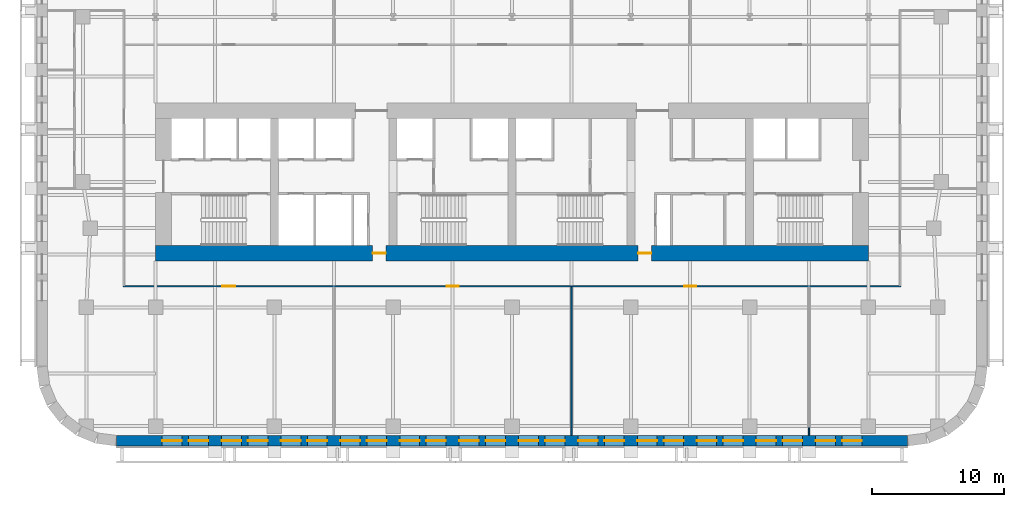
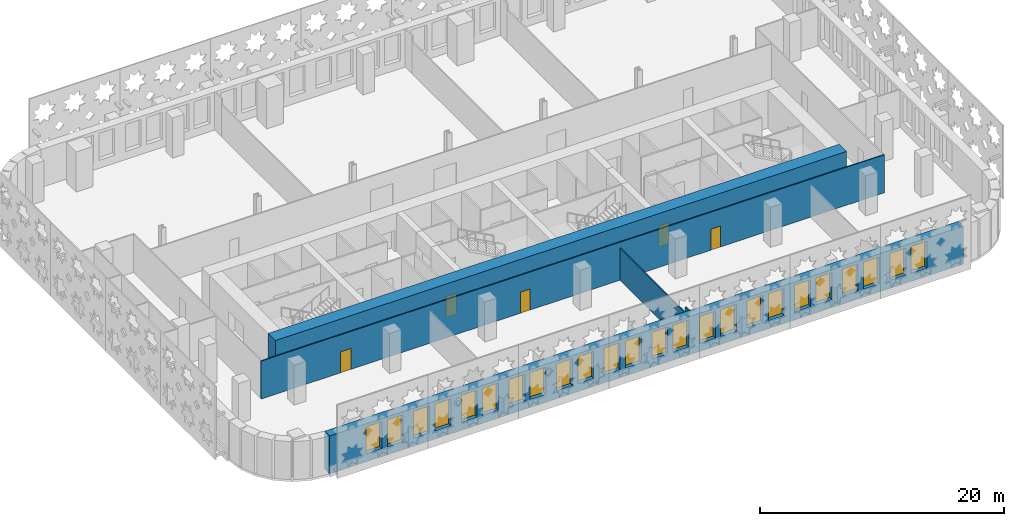
# One storey, part 5 of 14: 24 windows, 6 walls, 5 doors, 29 openings.
"""IFC4 building model written with IfcOpenShell, lengths in metres."""

from ifc_helpers import new_model, si_unit, direction, frame, frame_2d, origin, place, context, subcontext, project, spatial, rectangle, extrude, material, layer, layer_set, type_object, element, fill, save


model = new_model("IFC4")

# Units and contexts
model_context = context("Model", 3, precision=1e-05, world=origin(), true_north=direction((0.0, 1.0)))
body_context = subcontext(model_context, "Body", "Model", "MODEL_VIEW")
ifc_project = project(units=[si_unit("LENGTHUNIT", "METRE"), si_unit("AREAUNIT", "SQUARE_METRE"), si_unit("VOLUMEUNIT", "CUBIC_METRE"), si_unit("PLANEANGLEUNIT", "RADIAN"), si_unit("MASSUNIT", "GRAM", prefix="KILO")], contexts=[model_context])

# Site, building, storey
site_placement = place(None, origin())
site = spatial("IfcSite", under=ifc_project, at=site_placement, CompositionType="ELEMENT")
building_placement = place(site_placement, origin())
building = spatial("IfcBuilding", under=site, at=building_placement, Name="Zellij Exchange Tower", CompositionType="ELEMENT")
storey_placement = place(building_placement, frame((0.0, 0.0, 68.5)))
storey = spatial("IfcBuildingStorey", under=building, at=storey_placement, Name="L13", CompositionType="ELEMENT", Elevation=68.5)

# Wall, openings, doors
ifc_material_1 = material(Name="Concrete C70/85", Category="concrete")
ifc_layer_1 = layer(ifc_material_1, 1.199951171875)
ifc_layer_set_1 = layer_set([ifc_layer_1], Name="Concrete C70/85")
wall_type_1 = type_object("IfcWallType", Name="CORE-SW 1200 C70/85", PredefinedType="SHEAR", material=ifc_layer_set_1)
wall_1_placement = place(storey_placement, frame((-27.0, -13.39990234375, 0.0), z_axis=(0.0, 0.0, 1.0), x_axis=(1.0, 0.0, 0.0)))
wall_1 = element("IfcWall", 1, at=wall_1_placement, inside=storey, type_object=wall_type_1, Name="Core shear wall rear L13", PredefinedType="SHEAR", context=body_context, shape_type="SweptSolid", body=[
    extrude(rectangle(XDim=54.0, YDim=1.199951171875, at=frame_2d((27.0, 0.0))), origin(), (0.0, 0.0, 1.0), 3.800048828125),
])
opening_1_placement = place(wall_1_placement, frame((16.449951171875, 0.0, 0.0)))
opening_1 = element("IfcOpeningElement", 2, at=opening_1_placement, cuts=wall_1, Name="Opening CA-08.12", PredefinedType="OPENING", context=body_context, shape_type="SweptSolid", body=[
    extrude(rectangle(XDim=1.0, YDim=2.10009765625, at=frame_2d((0.5, 1.050048828125))), frame((0.0, 0.61181640625, 0.0), z_axis=(0.0, -1.0, 0.0), x_axis=(1.0, 0.0, 0.0)), (0.0, 0.0, 1.0), 1.223876953125),
])
opening_2_placement = place(wall_1_placement, frame((36.550048828125, 0.0, 0.0)))
opening_2 = element("IfcOpeningElement", 3, at=opening_2_placement, cuts=wall_1, Name="Opening CA-08.20", PredefinedType="OPENING", context=body_context, shape_type="SweptSolid", body=[
    extrude(rectangle(XDim=1.0, YDim=2.10009765625, at=frame_2d((0.5, 1.050048828125))), frame((0.0, 0.61181640625, 0.0), z_axis=(0.0, -1.0, 0.0), x_axis=(1.0, 0.0, 0.0)), (0.0, 0.0, 1.0), 1.223876953125),
])
ifc_material_2 = material(Name="Hollow metal fire door")
door_type_1 = type_object("IfcDoorType", Name="CORE-D CR Core rear door 1000x2100 20 MIN", OperationType="NOTDEFINED", PredefinedType="DOOR", material=ifc_material_2)
door_1_placement = place(opening_1_placement, origin())
door_1 = element("IfcDoor", 4, at=door_1_placement, inside=storey, type_object=door_type_1, Name="Core rear door CA-08.12", OperationType="SINGLE_SWING_RIGHT", OverallHeight=2.10009765625, OverallWidth=1.0, PredefinedType="DOOR", context=body_context, shape_type="SweptSolid", body=[
    extrude(rectangle(XDim=1.0, YDim=2.10009765625, at=frame_2d((0.5, 1.050048828125))), frame((0.0, 0.02490234375, 0.0), z_axis=(0.0, -1.0, 0.0), x_axis=(1.0, 0.0, 0.0)), (0.0, 0.0, 1.0), 0.050048828125),
])
fill(opening_1, door_1)
door_2_placement = place(opening_2_placement, origin())
door_2 = element("IfcDoor", 5, at=door_2_placement, inside=storey, type_object=door_type_1, Name="Core rear door CA-08.20", OperationType="SINGLE_SWING_LEFT", OverallHeight=2.10009765625, OverallWidth=1.0, PredefinedType="DOOR", context=body_context, shape_type="SweptSolid", body=[
    extrude(rectangle(XDim=1.0, YDim=2.10009765625, at=frame_2d((0.5, 1.050048828125))), frame((0.0, 0.02490234375, 0.0), z_axis=(0.0, -1.0, 0.0), x_axis=(1.0, 0.0, 0.0)), (0.0, 0.0, 1.0), 0.050048828125),
])
fill(opening_2, door_2)

# Wall, openings, windows
ifc_material_3 = material(Name="Precast concrete C40/50", Category="concrete")
ifc_layer_2 = layer(ifc_material_3, 0.800048828125)
ifc_layer_set_2 = layer_set([ifc_layer_2], Name="Precast concrete C40/50")
wall_type_2 = type_object("IfcWallType", Name="ENV-EW1 Precast stone-piered wall 800", PredefinedType="SOLIDWALL", material=ifc_layer_set_2)
wall_2_placement = place(storey_placement, frame((-29.947509765625, -27.60009765625, 0.0), z_axis=(0.0, 0.0, 1.0), x_axis=(1.0, 0.0, 0.0)))
wall_2 = element("IfcWall", 6, at=wall_2_placement, inside=storey, type_object=wall_type_2, Name="fac.L13.00", PredefinedType="SOLIDWALL", context=body_context, shape_type="SweptSolid", body=[
    extrude(rectangle(XDim=59.89501953125, YDim=0.800048828125, at=frame_2d((29.947509765625, 0.0))), origin(), (0.0, 0.0, 1.0), 3.800048828125),
])
opening_3_placement = place(wall_2_placement, frame((3.447509765625, 0.0, 0.800048828125)))
opening_3 = element("IfcOpeningElement", 7, at=opening_3_placement, cuts=wall_2, Name="Opening FZ1.01", PredefinedType="OPENING", context=body_context, shape_type="SweptSolid", body=[
    extrude(rectangle(XDim=1.5, YDim=2.699951171875, at=frame_2d((0.75, 1.35009765625))), frame((0.0, 0.412109375, 0.0), z_axis=(0.0, -1.0, 0.0), x_axis=(1.0, 0.0, 0.0)), (0.0, 0.0, 1.0), 0.823974609375),
])
opening_4_placement = place(wall_2_placement, frame((5.447509765625, 0.0, 0.800048828125)))
opening_4 = element("IfcOpeningElement", 8, at=opening_4_placement, cuts=wall_2, Name="Opening FZ1.02", PredefinedType="OPENING", context=body_context, shape_type="SweptSolid", body=[
    extrude(rectangle(XDim=1.5, YDim=2.699951171875, at=frame_2d((0.75, 1.35009765625))), frame((0.0, 0.412109375, 0.0), z_axis=(0.0, -1.0, 0.0), x_axis=(1.0, 0.0, 0.0)), (0.0, 0.0, 1.0), 0.823974609375),
])
opening_5_placement = place(wall_2_placement, frame((7.947509765625, 0.0, 0.800048828125)))
opening_5 = element("IfcOpeningElement", 9, at=opening_5_placement, cuts=wall_2, Name="Opening FZ1.03", PredefinedType="OPENING", context=body_context, shape_type="SweptSolid", body=[
    extrude(rectangle(XDim=1.5, YDim=2.699951171875, at=frame_2d((0.75, 1.35009765625))), frame((0.0, 0.412109375, 0.0), z_axis=(0.0, -1.0, 0.0), x_axis=(1.0, 0.0, 0.0)), (0.0, 0.0, 1.0), 0.823974609375),
])
opening_6_placement = place(wall_2_placement, frame((9.947509765625, 0.0, 0.800048828125)))
opening_6 = element("IfcOpeningElement", 10, at=opening_6_placement, cuts=wall_2, Name="Opening FZ1.04", PredefinedType="OPENING", context=body_context, shape_type="SweptSolid", body=[
    extrude(rectangle(XDim=1.5, YDim=2.699951171875, at=frame_2d((0.75, 1.35009765625))), frame((0.0, 0.412109375, 0.0), z_axis=(0.0, -1.0, 0.0), x_axis=(1.0, 0.0, 0.0)), (0.0, 0.0, 1.0), 0.823974609375),
])
opening_7_placement = place(wall_2_placement, frame((12.447509765625, 0.0, 0.800048828125)))
opening_7 = element("IfcOpeningElement", 11, at=opening_7_placement, cuts=wall_2, Name="Opening FZ1.05", PredefinedType="OPENING", context=body_context, shape_type="SweptSolid", body=[
    extrude(rectangle(XDim=1.5, YDim=2.699951171875, at=frame_2d((0.75, 1.35009765625))), frame((0.0, 0.412109375, 0.0), z_axis=(0.0, -1.0, 0.0), x_axis=(1.0, 0.0, 0.0)), (0.0, 0.0, 1.0), 0.823974609375),
])
opening_8_placement = place(wall_2_placement, frame((14.447509765625, 0.0, 0.800048828125)))
opening_8 = element("IfcOpeningElement", 12, at=opening_8_placement, cuts=wall_2, Name="Opening FZ1.06", PredefinedType="OPENING", context=body_context, shape_type="SweptSolid", body=[
    extrude(rectangle(XDim=1.5, YDim=2.699951171875, at=frame_2d((0.75, 1.35009765625))), frame((0.0, 0.412109375, 0.0), z_axis=(0.0, -1.0, 0.0), x_axis=(1.0, 0.0, 0.0)), (0.0, 0.0, 1.0), 0.823974609375),
])
opening_9_placement = place(wall_2_placement, frame((16.947509765625, 0.0, 0.800048828125)))
opening_9 = element("IfcOpeningElement", 13, at=opening_9_placement, cuts=wall_2, Name="Opening FZ1.07", PredefinedType="OPENING", context=body_context, shape_type="SweptSolid", body=[
    extrude(rectangle(XDim=1.5, YDim=2.699951171875, at=frame_2d((0.75, 1.35009765625))), frame((0.0, 0.412109375, 0.0), z_axis=(0.0, -1.0, 0.0), x_axis=(1.0, 0.0, 0.0)), (0.0, 0.0, 1.0), 0.823974609375),
])
opening_10_placement = place(wall_2_placement, frame((18.947509765625, 0.0, 0.800048828125)))
opening_10 = element("IfcOpeningElement", 14, at=opening_10_placement, cuts=wall_2, Name="Opening FZ1.08", PredefinedType="OPENING", context=body_context, shape_type="SweptSolid", body=[
    extrude(rectangle(XDim=1.5, YDim=2.699951171875, at=frame_2d((0.75, 1.35009765625))), frame((0.0, 0.412109375, 0.0), z_axis=(0.0, -1.0, 0.0), x_axis=(1.0, 0.0, 0.0)), (0.0, 0.0, 1.0), 0.823974609375),
])
opening_11_placement = place(wall_2_placement, frame((21.447509765625, 0.0, 0.800048828125)))
opening_11 = element("IfcOpeningElement", 15, at=opening_11_placement, cuts=wall_2, Name="Opening FZ1.09", PredefinedType="OPENING", context=body_context, shape_type="SweptSolid", body=[
    extrude(rectangle(XDim=1.5, YDim=2.699951171875, at=frame_2d((0.75, 1.35009765625))), frame((0.0, 0.412109375, 0.0), z_axis=(0.0, -1.0, 0.0), x_axis=(1.0, 0.0, 0.0)), (0.0, 0.0, 1.0), 0.823974609375),
])
opening_12_placement = place(wall_2_placement, frame((23.447509765625, 0.0, 0.800048828125)))
opening_12 = element("IfcOpeningElement", 16, at=opening_12_placement, cuts=wall_2, Name="Opening FZ1.10", PredefinedType="OPENING", context=body_context, shape_type="SweptSolid", body=[
    extrude(rectangle(XDim=1.5, YDim=2.699951171875, at=frame_2d((0.75, 1.35009765625))), frame((0.0, 0.412109375, 0.0), z_axis=(0.0, -1.0, 0.0), x_axis=(1.0, 0.0, 0.0)), (0.0, 0.0, 1.0), 0.823974609375),
])
opening_13_placement = place(wall_2_placement, frame((25.947509765625, 0.0, 0.800048828125)))
opening_13 = element("IfcOpeningElement", 17, at=opening_13_placement, cuts=wall_2, Name="Opening FZ1.11", PredefinedType="OPENING", context=body_context, shape_type="SweptSolid", body=[
    extrude(rectangle(XDim=1.5, YDim=2.699951171875, at=frame_2d((0.75, 1.35009765625))), frame((0.0, 0.412109375, 0.0), z_axis=(0.0, -1.0, 0.0), x_axis=(1.0, 0.0, 0.0)), (0.0, 0.0, 1.0), 0.823974609375),
])
opening_14_placement = place(wall_2_placement, frame((27.947509765625, 0.0, 0.800048828125)))
opening_14 = element("IfcOpeningElement", 18, at=opening_14_placement, cuts=wall_2, Name="Opening FZ1.12", PredefinedType="OPENING", context=body_context, shape_type="SweptSolid", body=[
    extrude(rectangle(XDim=1.5, YDim=2.699951171875, at=frame_2d((0.75, 1.35009765625))), frame((0.0, 0.412109375, 0.0), z_axis=(0.0, -1.0, 0.0), x_axis=(1.0, 0.0, 0.0)), (0.0, 0.0, 1.0), 0.823974609375),
])
opening_15_placement = place(wall_2_placement, frame((30.447509765625, 0.0, 0.800048828125)))
opening_15 = element("IfcOpeningElement", 19, at=opening_15_placement, cuts=wall_2, Name="Opening FZ1.13", PredefinedType="OPENING", context=body_context, shape_type="SweptSolid", body=[
    extrude(rectangle(XDim=1.5, YDim=2.699951171875, at=frame_2d((0.75, 1.35009765625))), frame((0.0, 0.412109375, 0.0), z_axis=(0.0, -1.0, 0.0), x_axis=(1.0, 0.0, 0.0)), (0.0, 0.0, 1.0), 0.823974609375),
])
opening_16_placement = place(wall_2_placement, frame((32.447509765625, 0.0, 0.800048828125)))
opening_16 = element("IfcOpeningElement", 20, at=opening_16_placement, cuts=wall_2, Name="Opening FZ1.14", PredefinedType="OPENING", context=body_context, shape_type="SweptSolid", body=[
    extrude(rectangle(XDim=1.5, YDim=2.699951171875, at=frame_2d((0.75, 1.35009765625))), frame((0.0, 0.412109375, 0.0), z_axis=(0.0, -1.0, 0.0), x_axis=(1.0, 0.0, 0.0)), (0.0, 0.0, 1.0), 0.823974609375),
])
opening_17_placement = place(wall_2_placement, frame((34.947509765625, 0.0, 0.800048828125)))
opening_17 = element("IfcOpeningElement", 21, at=opening_17_placement, cuts=wall_2, Name="Opening FZ1.15", PredefinedType="OPENING", context=body_context, shape_type="SweptSolid", body=[
    extrude(rectangle(XDim=1.5, YDim=2.699951171875, at=frame_2d((0.75, 1.35009765625))), frame((0.0, 0.412109375, 0.0), z_axis=(0.0, -1.0, 0.0), x_axis=(1.0, 0.0, 0.0)), (0.0, 0.0, 1.0), 0.823974609375),
])
opening_18_placement = place(wall_2_placement, frame((36.947509765625, 0.0, 0.800048828125)))
opening_18 = element("IfcOpeningElement", 22, at=opening_18_placement, cuts=wall_2, Name="Opening FZ1.16", PredefinedType="OPENING", context=body_context, shape_type="SweptSolid", body=[
    extrude(rectangle(XDim=1.5, YDim=2.699951171875, at=frame_2d((0.75, 1.35009765625))), frame((0.0, 0.412109375, 0.0), z_axis=(0.0, -1.0, 0.0), x_axis=(1.0, 0.0, 0.0)), (0.0, 0.0, 1.0), 0.823974609375),
])
opening_19_placement = place(wall_2_placement, frame((39.447509765625, 0.0, 0.800048828125)))
opening_19 = element("IfcOpeningElement", 23, at=opening_19_placement, cuts=wall_2, Name="Opening FZ1.17", PredefinedType="OPENING", context=body_context, shape_type="SweptSolid", body=[
    extrude(rectangle(XDim=1.5, YDim=2.699951171875, at=frame_2d((0.75, 1.35009765625))), frame((0.0, 0.412109375, 0.0), z_axis=(0.0, -1.0, 0.0), x_axis=(1.0, 0.0, 0.0)), (0.0, 0.0, 1.0), 0.823974609375),
])
opening_20_placement = place(wall_2_placement, frame((41.447509765625, 0.0, 0.800048828125)))
opening_20 = element("IfcOpeningElement", 24, at=opening_20_placement, cuts=wall_2, Name="Opening FZ1.18", PredefinedType="OPENING", context=body_context, shape_type="SweptSolid", body=[
    extrude(rectangle(XDim=1.5, YDim=2.699951171875, at=frame_2d((0.75, 1.35009765625))), frame((0.0, 0.412109375, 0.0), z_axis=(0.0, -1.0, 0.0), x_axis=(1.0, 0.0, 0.0)), (0.0, 0.0, 1.0), 0.823974609375),
])
opening_21_placement = place(wall_2_placement, frame((43.947509765625, 0.0, 0.800048828125)))
opening_21 = element("IfcOpeningElement", 25, at=opening_21_placement, cuts=wall_2, Name="Opening FZ1.19", PredefinedType="OPENING", context=body_context, shape_type="SweptSolid", body=[
    extrude(rectangle(XDim=1.5, YDim=2.699951171875, at=frame_2d((0.75, 1.35009765625))), frame((0.0, 0.412109375, 0.0), z_axis=(0.0, -1.0, 0.0), x_axis=(1.0, 0.0, 0.0)), (0.0, 0.0, 1.0), 0.823974609375),
])
opening_22_placement = place(wall_2_placement, frame((45.947509765625, 0.0, 0.800048828125)))
opening_22 = element("IfcOpeningElement", 26, at=opening_22_placement, cuts=wall_2, Name="Opening FZ1.20", PredefinedType="OPENING", context=body_context, shape_type="SweptSolid", body=[
    extrude(rectangle(XDim=1.5, YDim=2.699951171875, at=frame_2d((0.75, 1.35009765625))), frame((0.0, 0.412109375, 0.0), z_axis=(0.0, -1.0, 0.0), x_axis=(1.0, 0.0, 0.0)), (0.0, 0.0, 1.0), 0.823974609375),
])
opening_23_placement = place(wall_2_placement, frame((48.447509765625, 0.0, 0.800048828125)))
opening_23 = element("IfcOpeningElement", 27, at=opening_23_placement, cuts=wall_2, Name="Opening FZ1.21", PredefinedType="OPENING", context=body_context, shape_type="SweptSolid", body=[
    extrude(rectangle(XDim=1.5, YDim=2.699951171875, at=frame_2d((0.75, 1.35009765625))), frame((0.0, 0.412109375, 0.0), z_axis=(0.0, -1.0, 0.0), x_axis=(1.0, 0.0, 0.0)), (0.0, 0.0, 1.0), 0.823974609375),
])
opening_24_placement = place(wall_2_placement, frame((50.447509765625, 0.0, 0.800048828125)))
opening_24 = element("IfcOpeningElement", 28, at=opening_24_placement, cuts=wall_2, Name="Opening FZ1.22", PredefinedType="OPENING", context=body_context, shape_type="SweptSolid", body=[
    extrude(rectangle(XDim=1.5, YDim=2.699951171875, at=frame_2d((0.75, 1.35009765625))), frame((0.0, 0.412109375, 0.0), z_axis=(0.0, -1.0, 0.0), x_axis=(1.0, 0.0, 0.0)), (0.0, 0.0, 1.0), 0.823974609375),
])
opening_25_placement = place(wall_2_placement, frame((52.947509765625, 0.0, 0.800048828125)))
opening_25 = element("IfcOpeningElement", 29, at=opening_25_placement, cuts=wall_2, Name="Opening FZ1.23", PredefinedType="OPENING", context=body_context, shape_type="SweptSolid", body=[
    extrude(rectangle(XDim=1.5, YDim=2.699951171875, at=frame_2d((0.75, 1.35009765625))), frame((0.0, 0.412109375, 0.0), z_axis=(0.0, -1.0, 0.0), x_axis=(1.0, 0.0, 0.0)), (0.0, 0.0, 1.0), 0.823974609375),
])
opening_26_placement = place(wall_2_placement, frame((54.947509765625, 0.0, 0.800048828125)))
opening_26 = element("IfcOpeningElement", 30, at=opening_26_placement, cuts=wall_2, Name="Opening FZ1.24", PredefinedType="OPENING", context=body_context, shape_type="SweptSolid", body=[
    extrude(rectangle(XDim=1.5, YDim=2.699951171875, at=frame_2d((0.75, 1.35009765625))), frame((0.0, 0.412109375, 0.0), z_axis=(0.0, -1.0, 0.0), x_axis=(1.0, 0.0, 0.0)), (0.0, 0.0, 1.0), 0.823974609375),
])
ifc_material_4 = material(Name="Aluminium frame with insulating glass", Category="aluminium")
window_type = type_object("IfcWindowType", Name="ENV-W6 Window 1500x2700", PartitioningType="SINGLE_PANEL", PredefinedType="WINDOW", material=ifc_material_4)
window_1_placement = place(opening_3_placement, origin())
window_1 = element("IfcWindow", 31, at=window_1_placement, inside=storey, type_object=window_type, Name="Window FZ1.01", OverallHeight=2.699951171875, OverallWidth=1.5, PartitioningType="SINGLE_PANEL", PredefinedType="WINDOW", context=body_context, shape_type="SweptSolid", body=[
    extrude(rectangle(XDim=1.5, YDim=2.699951171875, at=frame_2d((0.75, 1.35009765625))), frame((0.0, 0.030029296875, 0.0), z_axis=(0.0, -1.0, 0.0), x_axis=(1.0, 0.0, 0.0)), (0.0, 0.0, 1.0), 0.06005859375),
])
fill(opening_3, window_1)
window_2_placement = place(opening_4_placement, origin())
window_2 = element("IfcWindow", 32, at=window_2_placement, inside=storey, type_object=window_type, Name="Window FZ1.02", OverallHeight=2.699951171875, OverallWidth=1.5, PartitioningType="SINGLE_PANEL", PredefinedType="WINDOW", context=body_context, shape_type="SweptSolid", body=[
    extrude(rectangle(XDim=1.5, YDim=2.699951171875, at=frame_2d((0.75, 1.35009765625))), frame((0.0, 0.030029296875, 0.0), z_axis=(0.0, -1.0, 0.0), x_axis=(1.0, 0.0, 0.0)), (0.0, 0.0, 1.0), 0.06005859375),
])
fill(opening_4, window_2)
window_3_placement = place(opening_5_placement, origin())
window_3 = element("IfcWindow", 33, at=window_3_placement, inside=storey, type_object=window_type, Name="Window FZ1.03", OverallHeight=2.699951171875, OverallWidth=1.5, PartitioningType="SINGLE_PANEL", PredefinedType="WINDOW", context=body_context, shape_type="SweptSolid", body=[
    extrude(rectangle(XDim=1.5, YDim=2.699951171875, at=frame_2d((0.75, 1.35009765625))), frame((0.0, 0.030029296875, 0.0), z_axis=(0.0, -1.0, 0.0), x_axis=(1.0, 0.0, 0.0)), (0.0, 0.0, 1.0), 0.06005859375),
])
fill(opening_5, window_3)
window_4_placement = place(opening_6_placement, origin())
window_4 = element("IfcWindow", 34, at=window_4_placement, inside=storey, type_object=window_type, Name="Window FZ1.04", OverallHeight=2.699951171875, OverallWidth=1.5, PartitioningType="SINGLE_PANEL", PredefinedType="WINDOW", context=body_context, shape_type="SweptSolid", body=[
    extrude(rectangle(XDim=1.5, YDim=2.699951171875, at=frame_2d((0.75, 1.35009765625))), frame((0.0, 0.030029296875, 0.0), z_axis=(0.0, -1.0, 0.0), x_axis=(1.0, 0.0, 0.0)), (0.0, 0.0, 1.0), 0.06005859375),
])
fill(opening_6, window_4)
window_5_placement = place(opening_7_placement, origin())
window_5 = element("IfcWindow", 35, at=window_5_placement, inside=storey, type_object=window_type, Name="Window FZ1.05", OverallHeight=2.699951171875, OverallWidth=1.5, PartitioningType="SINGLE_PANEL", PredefinedType="WINDOW", context=body_context, shape_type="SweptSolid", body=[
    extrude(rectangle(XDim=1.5, YDim=2.699951171875, at=frame_2d((0.75, 1.35009765625))), frame((0.0, 0.030029296875, 0.0), z_axis=(0.0, -1.0, 0.0), x_axis=(1.0, 0.0, 0.0)), (0.0, 0.0, 1.0), 0.06005859375),
])
fill(opening_7, window_5)
window_6_placement = place(opening_8_placement, origin())
window_6 = element("IfcWindow", 36, at=window_6_placement, inside=storey, type_object=window_type, Name="Window FZ1.06", OverallHeight=2.699951171875, OverallWidth=1.5, PartitioningType="SINGLE_PANEL", PredefinedType="WINDOW", context=body_context, shape_type="SweptSolid", body=[
    extrude(rectangle(XDim=1.5, YDim=2.699951171875, at=frame_2d((0.75, 1.35009765625))), frame((0.0, 0.030029296875, 0.0), z_axis=(0.0, -1.0, 0.0), x_axis=(1.0, 0.0, 0.0)), (0.0, 0.0, 1.0), 0.06005859375),
])
fill(opening_8, window_6)
window_7_placement = place(opening_9_placement, origin())
window_7 = element("IfcWindow", 37, at=window_7_placement, inside=storey, type_object=window_type, Name="Window FZ1.07", OverallHeight=2.699951171875, OverallWidth=1.5, PartitioningType="SINGLE_PANEL", PredefinedType="WINDOW", context=body_context, shape_type="SweptSolid", body=[
    extrude(rectangle(XDim=1.5, YDim=2.699951171875, at=frame_2d((0.75, 1.35009765625))), frame((0.0, 0.030029296875, 0.0), z_axis=(0.0, -1.0, 0.0), x_axis=(1.0, 0.0, 0.0)), (0.0, 0.0, 1.0), 0.06005859375),
])
fill(opening_9, window_7)
window_8_placement = place(opening_10_placement, origin())
window_8 = element("IfcWindow", 38, at=window_8_placement, inside=storey, type_object=window_type, Name="Window FZ1.08", OverallHeight=2.699951171875, OverallWidth=1.5, PartitioningType="SINGLE_PANEL", PredefinedType="WINDOW", context=body_context, shape_type="SweptSolid", body=[
    extrude(rectangle(XDim=1.5, YDim=2.699951171875, at=frame_2d((0.75, 1.35009765625))), frame((0.0, 0.030029296875, 0.0), z_axis=(0.0, -1.0, 0.0), x_axis=(1.0, 0.0, 0.0)), (0.0, 0.0, 1.0), 0.06005859375),
])
fill(opening_10, window_8)
window_9_placement = place(opening_11_placement, origin())
window_9 = element("IfcWindow", 39, at=window_9_placement, inside=storey, type_object=window_type, Name="Window FZ1.09", OverallHeight=2.699951171875, OverallWidth=1.5, PartitioningType="SINGLE_PANEL", PredefinedType="WINDOW", context=body_context, shape_type="SweptSolid", body=[
    extrude(rectangle(XDim=1.5, YDim=2.699951171875, at=frame_2d((0.75, 1.35009765625))), frame((0.0, 0.030029296875, 0.0), z_axis=(0.0, -1.0, 0.0), x_axis=(1.0, 0.0, 0.0)), (0.0, 0.0, 1.0), 0.06005859375),
])
fill(opening_11, window_9)
window_10_placement = place(opening_12_placement, origin())
window_10 = element("IfcWindow", 40, at=window_10_placement, inside=storey, type_object=window_type, Name="Window FZ1.10", OverallHeight=2.699951171875, OverallWidth=1.5, PartitioningType="SINGLE_PANEL", PredefinedType="WINDOW", context=body_context, shape_type="SweptSolid", body=[
    extrude(rectangle(XDim=1.5, YDim=2.699951171875, at=frame_2d((0.75, 1.35009765625))), frame((0.0, 0.030029296875, 0.0), z_axis=(0.0, -1.0, 0.0), x_axis=(1.0, 0.0, 0.0)), (0.0, 0.0, 1.0), 0.06005859375),
])
fill(opening_12, window_10)
window_11_placement = place(opening_13_placement, origin())
window_11 = element("IfcWindow", 41, at=window_11_placement, inside=storey, type_object=window_type, Name="Window FZ1.11", OverallHeight=2.699951171875, OverallWidth=1.5, PartitioningType="SINGLE_PANEL", PredefinedType="WINDOW", context=body_context, shape_type="SweptSolid", body=[
    extrude(rectangle(XDim=1.5, YDim=2.699951171875, at=frame_2d((0.75, 1.35009765625))), frame((0.0, 0.030029296875, 0.0), z_axis=(0.0, -1.0, 0.0), x_axis=(1.0, 0.0, 0.0)), (0.0, 0.0, 1.0), 0.06005859375),
])
fill(opening_13, window_11)
window_12_placement = place(opening_14_placement, origin())
window_12 = element("IfcWindow", 42, at=window_12_placement, inside=storey, type_object=window_type, Name="Window FZ1.12", OverallHeight=2.699951171875, OverallWidth=1.5, PartitioningType="SINGLE_PANEL", PredefinedType="WINDOW", context=body_context, shape_type="SweptSolid", body=[
    extrude(rectangle(XDim=1.5, YDim=2.699951171875, at=frame_2d((0.75, 1.35009765625))), frame((0.0, 0.030029296875, 0.0), z_axis=(0.0, -1.0, 0.0), x_axis=(1.0, 0.0, 0.0)), (0.0, 0.0, 1.0), 0.06005859375),
])
fill(opening_14, window_12)
window_13_placement = place(opening_15_placement, origin())
window_13 = element("IfcWindow", 43, at=window_13_placement, inside=storey, type_object=window_type, Name="Window FZ1.13", OverallHeight=2.699951171875, OverallWidth=1.5, PartitioningType="SINGLE_PANEL", PredefinedType="WINDOW", context=body_context, shape_type="SweptSolid", body=[
    extrude(rectangle(XDim=1.5, YDim=2.699951171875, at=frame_2d((0.75, 1.35009765625))), frame((0.0, 0.030029296875, 0.0), z_axis=(0.0, -1.0, 0.0), x_axis=(1.0, 0.0, 0.0)), (0.0, 0.0, 1.0), 0.06005859375),
])
fill(opening_15, window_13)
window_14_placement = place(opening_16_placement, origin())
window_14 = element("IfcWindow", 44, at=window_14_placement, inside=storey, type_object=window_type, Name="Window FZ1.14", OverallHeight=2.699951171875, OverallWidth=1.5, PartitioningType="SINGLE_PANEL", PredefinedType="WINDOW", context=body_context, shape_type="SweptSolid", body=[
    extrude(rectangle(XDim=1.5, YDim=2.699951171875, at=frame_2d((0.75, 1.35009765625))), frame((0.0, 0.030029296875, 0.0), z_axis=(0.0, -1.0, 0.0), x_axis=(1.0, 0.0, 0.0)), (0.0, 0.0, 1.0), 0.06005859375),
])
fill(opening_16, window_14)
window_15_placement = place(opening_17_placement, origin())
window_15 = element("IfcWindow", 45, at=window_15_placement, inside=storey, type_object=window_type, Name="Window FZ1.15", OverallHeight=2.699951171875, OverallWidth=1.5, PartitioningType="SINGLE_PANEL", PredefinedType="WINDOW", context=body_context, shape_type="SweptSolid", body=[
    extrude(rectangle(XDim=1.5, YDim=2.699951171875, at=frame_2d((0.75, 1.35009765625))), frame((0.0, 0.030029296875, 0.0), z_axis=(0.0, -1.0, 0.0), x_axis=(1.0, 0.0, 0.0)), (0.0, 0.0, 1.0), 0.06005859375),
])
fill(opening_17, window_15)
window_16_placement = place(opening_18_placement, origin())
window_16 = element("IfcWindow", 46, at=window_16_placement, inside=storey, type_object=window_type, Name="Window FZ1.16", OverallHeight=2.699951171875, OverallWidth=1.5, PartitioningType="SINGLE_PANEL", PredefinedType="WINDOW", context=body_context, shape_type="SweptSolid", body=[
    extrude(rectangle(XDim=1.5, YDim=2.699951171875, at=frame_2d((0.75, 1.35009765625))), frame((0.0, 0.030029296875, 0.0), z_axis=(0.0, -1.0, 0.0), x_axis=(1.0, 0.0, 0.0)), (0.0, 0.0, 1.0), 0.06005859375),
])
fill(opening_18, window_16)
window_17_placement = place(opening_19_placement, origin())
window_17 = element("IfcWindow", 47, at=window_17_placement, inside=storey, type_object=window_type, Name="Window FZ1.17", OverallHeight=2.699951171875, OverallWidth=1.5, PartitioningType="SINGLE_PANEL", PredefinedType="WINDOW", context=body_context, shape_type="SweptSolid", body=[
    extrude(rectangle(XDim=1.5, YDim=2.699951171875, at=frame_2d((0.75, 1.35009765625))), frame((0.0, 0.030029296875, 0.0), z_axis=(0.0, -1.0, 0.0), x_axis=(1.0, 0.0, 0.0)), (0.0, 0.0, 1.0), 0.06005859375),
])
fill(opening_19, window_17)
window_18_placement = place(opening_20_placement, origin())
window_18 = element("IfcWindow", 48, at=window_18_placement, inside=storey, type_object=window_type, Name="Window FZ1.18", OverallHeight=2.699951171875, OverallWidth=1.5, PartitioningType="SINGLE_PANEL", PredefinedType="WINDOW", context=body_context, shape_type="SweptSolid", body=[
    extrude(rectangle(XDim=1.5, YDim=2.699951171875, at=frame_2d((0.75, 1.35009765625))), frame((0.0, 0.030029296875, 0.0), z_axis=(0.0, -1.0, 0.0), x_axis=(1.0, 0.0, 0.0)), (0.0, 0.0, 1.0), 0.06005859375),
])
fill(opening_20, window_18)
window_19_placement = place(opening_21_placement, origin())
window_19 = element("IfcWindow", 49, at=window_19_placement, inside=storey, type_object=window_type, Name="Window FZ1.19", OverallHeight=2.699951171875, OverallWidth=1.5, PartitioningType="SINGLE_PANEL", PredefinedType="WINDOW", context=body_context, shape_type="SweptSolid", body=[
    extrude(rectangle(XDim=1.5, YDim=2.699951171875, at=frame_2d((0.75, 1.35009765625))), frame((0.0, 0.030029296875, 0.0), z_axis=(0.0, -1.0, 0.0), x_axis=(1.0, 0.0, 0.0)), (0.0, 0.0, 1.0), 0.06005859375),
])
fill(opening_21, window_19)
window_20_placement = place(opening_22_placement, origin())
window_20 = element("IfcWindow", 50, at=window_20_placement, inside=storey, type_object=window_type, Name="Window FZ1.20", OverallHeight=2.699951171875, OverallWidth=1.5, PartitioningType="SINGLE_PANEL", PredefinedType="WINDOW", context=body_context, shape_type="SweptSolid", body=[
    extrude(rectangle(XDim=1.5, YDim=2.699951171875, at=frame_2d((0.75, 1.35009765625))), frame((0.0, 0.030029296875, 0.0), z_axis=(0.0, -1.0, 0.0), x_axis=(1.0, 0.0, 0.0)), (0.0, 0.0, 1.0), 0.06005859375),
])
fill(opening_22, window_20)
window_21_placement = place(opening_23_placement, origin())
window_21 = element("IfcWindow", 51, at=window_21_placement, inside=storey, type_object=window_type, Name="Window FZ1.21", OverallHeight=2.699951171875, OverallWidth=1.5, PartitioningType="SINGLE_PANEL", PredefinedType="WINDOW", context=body_context, shape_type="SweptSolid", body=[
    extrude(rectangle(XDim=1.5, YDim=2.699951171875, at=frame_2d((0.75, 1.35009765625))), frame((0.0, 0.030029296875, 0.0), z_axis=(0.0, -1.0, 0.0), x_axis=(1.0, 0.0, 0.0)), (0.0, 0.0, 1.0), 0.06005859375),
])
fill(opening_23, window_21)
window_22_placement = place(opening_24_placement, origin())
window_22 = element("IfcWindow", 52, at=window_22_placement, inside=storey, type_object=window_type, Name="Window FZ1.22", OverallHeight=2.699951171875, OverallWidth=1.5, PartitioningType="SINGLE_PANEL", PredefinedType="WINDOW", context=body_context, shape_type="SweptSolid", body=[
    extrude(rectangle(XDim=1.5, YDim=2.699951171875, at=frame_2d((0.75, 1.35009765625))), frame((0.0, 0.030029296875, 0.0), z_axis=(0.0, -1.0, 0.0), x_axis=(1.0, 0.0, 0.0)), (0.0, 0.0, 1.0), 0.06005859375),
])
fill(opening_24, window_22)
window_23_placement = place(opening_25_placement, origin())
window_23 = element("IfcWindow", 53, at=window_23_placement, inside=storey, type_object=window_type, Name="Window FZ1.23", OverallHeight=2.699951171875, OverallWidth=1.5, PartitioningType="SINGLE_PANEL", PredefinedType="WINDOW", context=body_context, shape_type="SweptSolid", body=[
    extrude(rectangle(XDim=1.5, YDim=2.699951171875, at=frame_2d((0.75, 1.35009765625))), frame((0.0, 0.030029296875, 0.0), z_axis=(0.0, -1.0, 0.0), x_axis=(1.0, 0.0, 0.0)), (0.0, 0.0, 1.0), 0.06005859375),
])
fill(opening_25, window_23)
window_24_placement = place(opening_26_placement, origin())
window_24 = element("IfcWindow", 54, at=window_24_placement, inside=storey, type_object=window_type, Name="Window FZ1.24", OverallHeight=2.699951171875, OverallWidth=1.5, PartitioningType="SINGLE_PANEL", PredefinedType="WINDOW", context=body_context, shape_type="SweptSolid", body=[
    extrude(rectangle(XDim=1.5, YDim=2.699951171875, at=frame_2d((0.75, 1.35009765625))), frame((0.0, 0.030029296875, 0.0), z_axis=(0.0, -1.0, 0.0), x_axis=(1.0, 0.0, 0.0)), (0.0, 0.0, 1.0), 0.06005859375),
])
fill(opening_26, window_24)

# Walls
ifc_material_5 = material(Name="Gypsum board partition on steel studs", Category="steel")
ifc_layer_3 = layer(ifc_material_5, 0.10009765625)
ifc_layer_set_3 = layer_set([ifc_layer_3], Name="Gypsum board partition on steel studs")
wall_type_3 = type_object("IfcWallType", Name="FIT-PARTITION-100", PredefinedType="PARTITIONING", material=ifc_layer_set_3)
wall_3_placement = place(storey_placement, frame((4.5, -27.199951171875, 0.0), z_axis=(0.0, 0.0, 1.0), x_axis=(0.0, 1.0, 0.0)))
element("IfcWall", 55, at=wall_3_placement, inside=storey, type_object=wall_type_3, Name="FIT-PARTITION-100 003", PredefinedType="PARTITIONING", context=body_context, shape_type="SweptSolid", body=[
    extrude(rectangle(XDim=0.58544921875, YDim=0.10009765625, at=frame_2d((0.292724609375, 0.0))), origin(), (0.0, 0.0, 1.0), 3.800048828125),
])
wall_4_placement = place(storey_placement, frame((4.5, -26.614501953125, 0.0), z_axis=(0.0, 0.0, 1.0), x_axis=(0.0, 1.0, 0.0)))
element("IfcWall", 56, at=wall_4_placement, inside=storey, type_object=wall_type_3, Name="FIT-PARTITION-100 004", PredefinedType="PARTITIONING", context=body_context, shape_type="SweptSolid", body=[
    extrude(rectangle(XDim=10.66455078125, YDim=0.10009765625, at=frame_2d((5.332275390625, 0.0))), origin(), (0.0, 0.0, 1.0), 3.197998046875),
])
wall_5_placement = place(storey_placement, frame((22.5, -27.199951171875, 0.0), z_axis=(0.0, 0.0, 1.0), x_axis=(0.0, 1.0, 0.0)))
element("IfcWall", 57, at=wall_5_placement, inside=storey, type_object=wall_type_3, Name="FIT-PARTITION-100 005", PredefinedType="PARTITIONING", context=body_context, shape_type="SweptSolid", body=[
    extrude(rectangle(XDim=0.58544921875, YDim=0.10009765625, at=frame_2d((0.292724609375, 0.0))), origin(), (0.0, 0.0, 1.0), 3.800048828125),
])

# Wall, openings, doors
wall_6_placement = place(storey_placement, frame((-29.449951171875, -15.89990234375, 0.0), z_axis=(0.0, 0.0, 1.0), x_axis=(1.0, 0.0, 0.0)))
wall_6 = element("IfcWall", 58, at=wall_6_placement, inside=storey, type_object=wall_type_3, Name="FIT-PARTITION-100 007", PredefinedType="PARTITIONING", context=body_context, shape_type="SweptSolid", body=[
    extrude(rectangle(XDim=58.89990234375, YDim=0.10009765625, at=frame_2d((29.449951171875, 0.0))), origin(), (0.0, 0.0, 1.0), 3.800048828125),
])
opening_27_placement = place(wall_6_placement, frame((7.5, 0.0, 0.0)))
opening_27 = element("IfcOpeningElement", 59, at=opening_27_placement, cuts=wall_6, Name="Opening TB.01", PredefinedType="OPENING", context=body_context, shape_type="SweptSolid", body=[
    extrude(rectangle(XDim=1.0, YDim=2.10009765625, at=frame_2d((0.5, 1.050048828125))), frame((0.0, 0.06201171875, 0.0), z_axis=(0.0, -1.0, 0.0), x_axis=(1.0, 0.0, 0.0)), (0.0, 0.0, 1.0), 0.1240234375),
])
opening_28_placement = place(wall_6_placement, frame((24.5, 0.0, 0.0)))
opening_28 = element("IfcOpeningElement", 60, at=opening_28_placement, cuts=wall_6, Name="Opening TB.02", PredefinedType="OPENING", context=body_context, shape_type="SweptSolid", body=[
    extrude(rectangle(XDim=0.89990234375, YDim=2.10009765625, at=frame_2d((0.449951171875, 1.050048828125))), frame((0.0, 0.06201171875, 0.0), z_axis=(0.0, -1.0, 0.0), x_axis=(1.0, 0.0, 0.0)), (0.0, 0.0, 1.0), 0.1240234375),
])
opening_29_placement = place(wall_6_placement, frame((42.5, 0.0, 0.0)))
opening_29 = element("IfcOpeningElement", 61, at=opening_29_placement, cuts=wall_6, Name="Opening TB.03", PredefinedType="OPENING", context=body_context, shape_type="SweptSolid", body=[
    extrude(rectangle(XDim=0.89990234375, YDim=2.10009765625, at=frame_2d((0.449951171875, 1.050048828125))), frame((0.0, 0.06201171875, 0.0), z_axis=(0.0, -1.0, 0.0), x_axis=(1.0, 0.0, 0.0)), (0.0, 0.0, 1.0), 0.1240234375),
])
ifc_material_6 = material(Name="Timber door set", Category="wood")
door_type_2 = type_object("IfcDoorType", Name="FIT-D1-ROOM-900X2100", OperationType="SINGLE_SWING_LEFT", PredefinedType="DOOR", material=ifc_material_6)
door_3_placement = place(opening_28_placement, origin())
door_3 = element("IfcDoor", 62, at=door_3_placement, inside=storey, type_object=door_type_2, Name="Door TB.02", OperationType="SINGLE_SWING_LEFT", OverallHeight=2.10009765625, OverallWidth=0.89990234375, PredefinedType="DOOR", context=body_context, shape_type="SweptSolid", body=[
    extrude(rectangle(XDim=0.89990234375, YDim=2.10009765625, at=frame_2d((0.449951171875, 1.050048828125))), frame((0.0, 0.02490234375, 0.0), z_axis=(0.0, -1.0, 0.0), x_axis=(1.0, 0.0, 0.0)), (0.0, 0.0, 1.0), 0.050048828125),
])
fill(opening_28, door_3)
door_4_placement = place(opening_29_placement, origin())
door_4 = element("IfcDoor", 63, at=door_4_placement, inside=storey, type_object=door_type_2, Name="Door TB.03", OperationType="SINGLE_SWING_LEFT", OverallHeight=2.10009765625, OverallWidth=0.89990234375, PredefinedType="DOOR", context=body_context, shape_type="SweptSolid", body=[
    extrude(rectangle(XDim=0.89990234375, YDim=2.10009765625, at=frame_2d((0.449951171875, 1.050048828125))), frame((0.0, 0.02490234375, 0.0), z_axis=(0.0, -1.0, 0.0), x_axis=(1.0, 0.0, 0.0)), (0.0, 0.0, 1.0), 0.050048828125),
])
fill(opening_29, door_4)
door_type_3 = type_object("IfcDoorType", Name="FIT-D2-WIDE-1000X2100", OperationType="SINGLE_SWING_LEFT", PredefinedType="DOOR", material=ifc_material_6)
door_5_placement = place(opening_27_placement, origin())
door_5 = element("IfcDoor", 64, at=door_5_placement, inside=storey, type_object=door_type_3, Name="Door TB.01", OperationType="SINGLE_SWING_LEFT", OverallHeight=2.10009765625, OverallWidth=1.0, PredefinedType="DOOR", context=body_context, shape_type="SweptSolid", body=[
    extrude(rectangle(XDim=1.0, YDim=2.10009765625, at=frame_2d((0.5, 1.050048828125))), frame((0.0, 0.02490234375, 0.0), z_axis=(0.0, -1.0, 0.0), x_axis=(1.0, 0.0, 0.0)), (0.0, 0.0, 1.0), 0.050048828125),
])
fill(opening_27, door_5)

save(model, "model.ifc")
